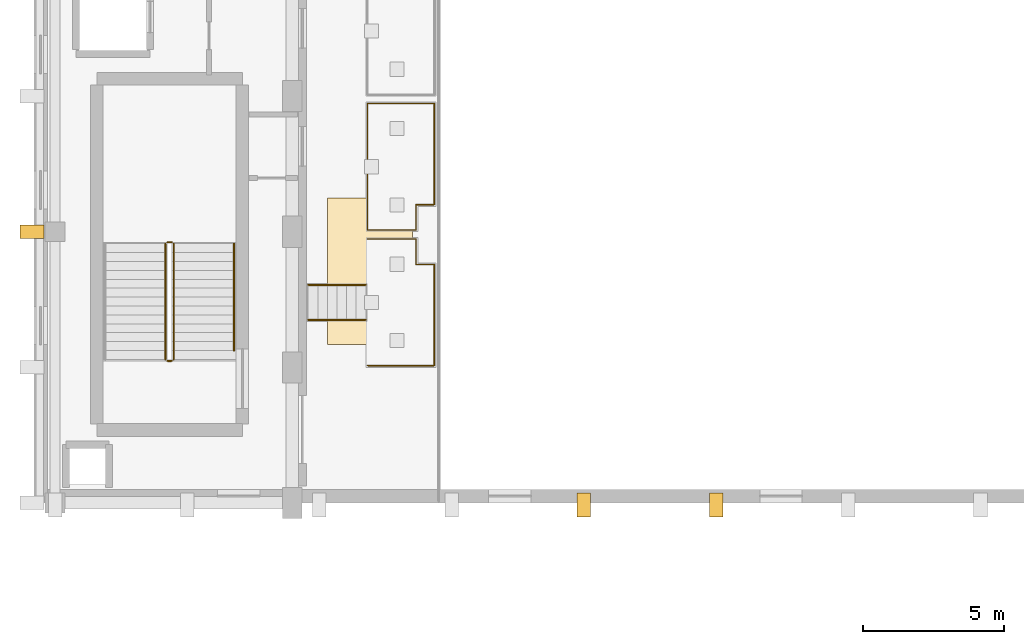
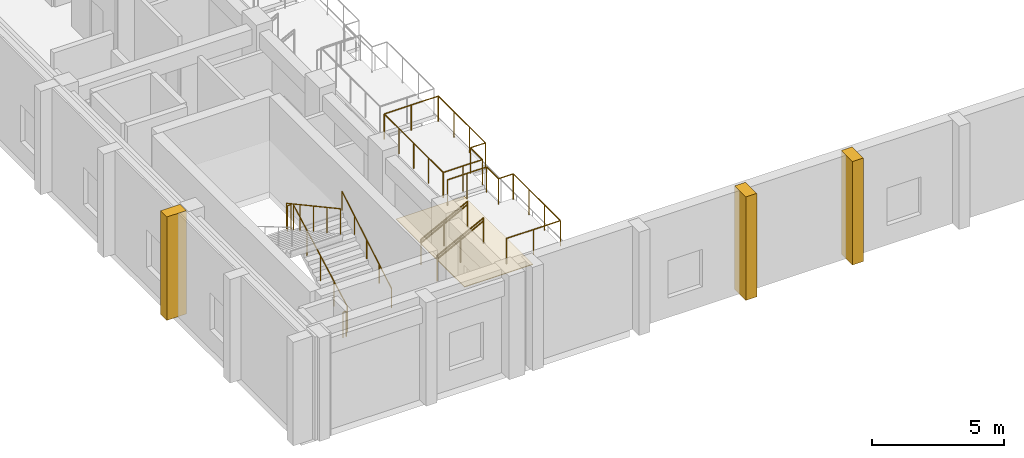
# One storey, part 116 of 133: 11 railings, 4 coverings.
"""IFC4 building model written with IfcOpenShell, lengths in metres."""

from ifc_helpers import new_model, si_unit, direction, frame, origin, origin_2d, place, context, subcontext, project, spatial, polyline, rectangle, circle, outline, extrude, material, layer, layer_set, type_object, element, save


model = new_model("IFC4")

# Units and contexts
model_context = context("Model", 3, precision=1e-05, world=origin(), true_north=direction((0.0, 1.0)))
body_context = subcontext(model_context, "Body", "Model", "MODEL_VIEW")
ifc_project = project(units=[si_unit("LENGTHUNIT", "METRE"), si_unit("AREAUNIT", "SQUARE_METRE"), si_unit("VOLUMEUNIT", "CUBIC_METRE"), si_unit("PLANEANGLEUNIT", "RADIAN"), si_unit("MASSUNIT", "GRAM", prefix="KILO")], contexts=[model_context])

# Site, building, storey
site_placement = place(None, origin())
site = spatial("IfcSite", under=ifc_project, at=site_placement, CompositionType="ELEMENT")
building_placement = place(site_placement, origin())
building = spatial("IfcBuilding", under=site, at=building_placement, Name="Nakhvara Creek Congress Hotel", CompositionType="ELEMENT")
storey_placement = place(building_placement, frame((0.0, 0.0, 11.39990234375)))
storey = spatial("IfcBuildingStorey", under=building, at=storey_placement, Name="L02", CompositionType="ELEMENT", Elevation=11.39990234375)

# Coverings
ifc_material_1 = material(Name="Honed pale Omani limestone architectural cladding", Category="masonry")
ifc_layer_1 = layer(ifc_material_1, 0.449951171875)
ifc_layer_set_1 = layer_set([ifc_layer_1], Name="Honed pale Omani limestone architectural cladding")
covering_type_1 = type_object("IfcCoveringType", Name="COV-BUTT-850", PredefinedType="CLADDING", material=ifc_layer_set_1)
for number, where, z_axis, x_axis, name in (
    (1, (-0.06494140625, 43.199951171875, 0.0), (0.0, 0.0, 1.0), (0.0, 1.0, 0.0), "Gothic Limestone Buttress Pier CF03-0486"),
    (2, (19.469970703125, 33.534912109375, 0.0), (0.0, 0.0, 1.0), (1.0, 0.0, 0.0), "Gothic Limestone Buttress Pier CF03-0500"),
    (3, (24.14990234375, 33.534912109375, 0.0), (0.0, 0.0, 1.0), (1.0, 0.0, 0.0), "Gothic Limestone Buttress Pier CF03-0501"),
):
    element("IfcCovering", number, at=place(storey_placement, frame(where, z_axis=z_axis, x_axis=x_axis)), inside=storey, type_object=covering_type_1, Name=name, PredefinedType="CLADDING", context=body_context, shape_type="SweptSolid", body=[
        extrude(rectangle(XDim=0.47998046875, YDim=0.85009765625, at=origin_2d()), origin(), (0.0, 0.0, 1.0), 4.800048828125),
    ])
ifc_material_2 = material(Name="Honed limestone and terrazzo acoustic floor finish", Category="masonry")
ifc_layer_2 = layer(ifc_material_2, 0.044921875)
ifc_layer_set_2 = layer_set([ifc_layer_2], Name="Honed limestone and terrazzo acoustic floor finish")
covering_type_2 = type_object("IfcCoveringType", Name="COV-FLR-TER", PredefinedType="FLOORING", material=ifc_layer_set_2)
covering_placement = place(storey_placement, origin())
element("IfcCovering", 4, at=covering_placement, inside=storey, type_object=covering_type_2, Name="Floor Finish L02-CH-01", PredefinedType="FLOORING", context=body_context, shape_type="SweptSolid", body=[
    extrude(outline(polyline([(10.39990234375, 39.199951171875), (13.39990234375, 39.199951171875), (13.39990234375, 44.39990234375), (10.39990234375, 44.39990234375), (10.39990234375, 39.199951171875)])), origin(), (0.0, 0.0, 1.0), 0.030029296875),
])

# Railings
ifc_material_3 = material(Name="Bronze-anodised aluminium and laminated safety glass balustrade", Category="aluminium")
railing_type_1 = type_object("IfcRailingType", Name="RL-BALUS-1200", PredefinedType="BALUSTRADE", material=ifc_material_3)
railing_1_placement = place(storey_placement, frame((11.81005859375, 38.4599609375, 1.050048828125)))
element("IfcRailing", 5, at=railing_1_placement, inside=storey, type_object=railing_type_1, Name="Stand Tier Balustrade L02-01", PredefinedType="BALUSTRADE", context=body_context, shape_type="SweptSolid", body=[
    extrude(circle(Radius=0.02392578125, at=origin_2d()), frame((0.0146484375, 0.0, 1.17578125), z_axis=(1.0, 0.0, 0.0), x_axis=(0.0, 1.0, 0.0)), (0.0, 0.0, 1.0), 2.340576171875),
    extrude(circle(Radius=0.02392578125, at=origin_2d()), frame((2.369873046875, 0.0146484375, 1.17578125), z_axis=(0.0, 1.0, 0.0), x_axis=(-1.0, 0.0, 0.0)), (0.0, 0.0, 1.0), 3.55078125),
    extrude(circle(Radius=0.02392578125, at=origin_2d()), frame((2.355224609375, 3.580078125, 1.17578125), z_axis=(-1.0, 0.0, 0.0), x_axis=(0.0, -1.0, 0.0)), (0.0, 0.0, 1.0), 0.62060546875),
    extrude(circle(Radius=0.02392578125, at=origin_2d()), frame((1.719970703125, 3.5947265625, 1.17578125), z_axis=(0.0, 1.0, 0.0), x_axis=(-1.0, 0.0, 0.0)), (0.0, 0.0, 1.0), 0.87060546875),
    extrude(circle(Radius=0.02392578125, at=origin_2d()), frame((1.705322265625, 4.47998046875, 1.17578125), z_axis=(-1.0, 0.0, 0.0), x_axis=(0.0, -1.0, 0.0)), (0.0, 0.0, 1.0), 1.690673828125),
    extrude(circle(Radius=0.02099609375, at=origin_2d()), origin(), (0.0, 0.0, 1.0), 1.1806640625),
    extrude(circle(Radius=0.02099609375, at=origin_2d()), frame((1.18505859375, 0.0, 0.0)), (0.0, 0.0, 1.0), 1.1806640625),
    extrude(circle(Radius=0.02099609375, at=origin_2d()), frame((2.369873046875, 0.0, 0.0)), (0.0, 0.0, 1.0), 1.1806640625),
    extrude(circle(Radius=0.02099609375, at=origin_2d()), frame((2.369873046875, 1.193359375, 0.0)), (0.0, 0.0, 1.0), 1.1806640625),
    extrude(circle(Radius=0.02099609375, at=origin_2d()), frame((2.369873046875, 2.38671875, 0.0)), (0.0, 0.0, 1.0), 1.1806640625),
    extrude(circle(Radius=0.02099609375, at=origin_2d()), frame((2.369873046875, 3.580078125, 0.0)), (0.0, 0.0, 1.0), 1.1806640625),
    extrude(circle(Radius=0.02099609375, at=origin_2d()), frame((1.719970703125, 3.580078125, 0.0)), (0.0, 0.0, 1.0), 1.1806640625),
    extrude(circle(Radius=0.02099609375, at=origin_2d()), frame((1.719970703125, 4.47998046875, 0.0)), (0.0, 0.0, 1.0), 1.1806640625),
    extrude(circle(Radius=0.02099609375, at=origin_2d()), frame((0.85986328125, 4.47998046875, 0.0)), (0.0, 0.0, 1.0), 1.1806640625),
    extrude(circle(Radius=0.02099609375, at=origin_2d()), frame((0.0, 4.47998046875, 0.0)), (0.0, 0.0, 1.0), 1.1806640625),
])
railing_2_placement = place(storey_placement, frame((11.81005859375, 43.260009765625, 1.2001953125)))
element("IfcRailing", 6, at=railing_2_placement, inside=storey, type_object=railing_type_1, Name="Stand Tier Balustrade L02-02", PredefinedType="BALUSTRADE", context=body_context, shape_type="SweptSolid", body=[
    extrude(circle(Radius=0.02392578125, at=origin_2d()), frame((0.0146484375, 0.0, 1.17578125), z_axis=(1.0, 0.0, 0.0), x_axis=(0.0, 1.0, 0.0)), (0.0, 0.0, 1.0), 1.690673828125),
    extrude(circle(Radius=0.02392578125, at=origin_2d()), frame((1.719970703125, 0.0146484375, 1.17578125), z_axis=(0.0, 1.0, 0.0), x_axis=(-1.0, 0.0, 0.0)), (0.0, 0.0, 1.0), 0.87060546875),
    extrude(circle(Radius=0.02392578125, at=origin_2d()), frame((1.734619140625, 0.89990234375, 1.17578125), z_axis=(1.0, 0.0, 0.0), x_axis=(0.0, 1.0, 0.0)), (0.0, 0.0, 1.0), 0.62060546875),
    extrude(circle(Radius=0.02392578125, at=origin_2d()), frame((2.369873046875, 0.91455078125, 1.17578125), z_axis=(0.0, 1.0, 0.0), x_axis=(-1.0, 0.0, 0.0)), (0.0, 0.0, 1.0), 3.55078125),
    extrude(circle(Radius=0.02392578125, at=origin_2d()), frame((2.355224609375, 4.47998046875, 1.17578125), z_axis=(-1.0, 0.0, 0.0), x_axis=(0.0, -1.0, 0.0)), (0.0, 0.0, 1.0), 2.340576171875),
    extrude(circle(Radius=0.02392578125, at=origin_2d()), frame((0.0, 4.46533203125, 1.17578125), z_axis=(0.0, -1.0, 0.0), x_axis=(1.0, 0.0, 0.0)), (0.0, 0.0, 1.0), 4.45068359375),
    extrude(circle(Radius=0.02099609375, at=origin_2d()), origin(), (0.0, 0.0, 1.0), 1.1806640625),
    extrude(circle(Radius=0.02099609375, at=origin_2d()), frame((0.85986328125, 0.0, 0.0)), (0.0, 0.0, 1.0), 1.1806640625),
    extrude(circle(Radius=0.02099609375, at=origin_2d()), frame((1.719970703125, 0.0, 0.0)), (0.0, 0.0, 1.0), 1.1806640625),
    extrude(circle(Radius=0.02099609375, at=origin_2d()), frame((1.719970703125, 0.89990234375, 0.0)), (0.0, 0.0, 1.0), 1.1806640625),
    extrude(circle(Radius=0.02099609375, at=origin_2d()), frame((2.369873046875, 0.89990234375, 0.0)), (0.0, 0.0, 1.0), 1.1806640625),
    extrude(circle(Radius=0.02099609375, at=origin_2d()), frame((2.369873046875, 2.09326171875, 0.0)), (0.0, 0.0, 1.0), 1.1806640625),
    extrude(circle(Radius=0.02099609375, at=origin_2d()), frame((2.369873046875, 3.28662109375, 0.0)), (0.0, 0.0, 1.0), 1.1806640625),
    extrude(circle(Radius=0.02099609375, at=origin_2d()), frame((2.369873046875, 4.47998046875, 0.0)), (0.0, 0.0, 1.0), 1.1806640625),
    extrude(circle(Radius=0.02099609375, at=origin_2d()), frame((1.18505859375, 4.47998046875, 0.0)), (0.0, 0.0, 1.0), 1.1806640625),
    extrude(circle(Radius=0.02099609375, at=origin_2d()), frame((0.0, 4.47998046875, 0.0)), (0.0, 0.0, 1.0), 1.1806640625),
    extrude(circle(Radius=0.02099609375, at=origin_2d()), frame((0.0, 3.35986328125, 0.0)), (0.0, 0.0, 1.0), 1.1806640625),
    extrude(circle(Radius=0.02099609375, at=origin_2d()), frame((0.0, 2.239990234375, 0.0)), (0.0, 0.0, 1.0), 1.1806640625),
    extrude(circle(Radius=0.02099609375, at=origin_2d()), frame((0.0, 1.1201171875, 0.0)), (0.0, 0.0, 1.0), 1.1806640625),
])
ifc_material_4 = material(Name="Brushed stainless steel 316L", Category="steel")
railing_type_2 = type_object("IfcRailingType", Name="RL-GUARD-1200", PredefinedType="GUARDRAIL", material=ifc_material_4)
railing_3_placement = place(storey_placement, frame((4.955078125, 38.679931640625, 0.171630859375)))
element("IfcRailing", 7, at=railing_3_placement, inside=storey, type_object=railing_type_2, Name="L02 ST05 stair guard 1", PredefinedType="GUARDRAIL", context=body_context, shape_type="SweptSolid", body=[
    extrude(circle(Radius=0.02392578125, at=origin_2d()), frame((0.0, 0.012939453125, 1.182861328125), z_axis=(0.0, 0.878355465225, 0.478008029963), x_axis=(-1.0, 0.0, 0.0)), (0.0, 0.0, 1.0), 4.6328125),
    extrude(circle(Radius=0.02099609375, at=origin_2d()), origin(), (0.0, 0.0, 1.0), 1.1806640625),
    extrude(circle(Radius=0.02099609375, at=origin_2d()), frame((0.0, 1.023681640625, 0.55712890625)), (0.0, 0.0, 1.0), 1.1806640625),
    extrude(circle(Radius=0.02099609375, at=origin_2d()), frame((0.0, 2.04736328125, 1.1142578125)), (0.0, 0.0, 1.0), 1.1806640625),
    extrude(circle(Radius=0.02099609375, at=origin_2d()), frame((0.0, 3.0712890625, 1.67138671875)), (0.0, 0.0, 1.0), 1.1806640625),
    extrude(circle(Radius=0.02099609375, at=origin_2d()), frame((0.0, 4.094970703125, 2.228515625)), (0.0, 0.0, 1.0), 1.1806640625),
])
railing_4_placement = place(storey_placement, frame((4.8798828125, 42.824951171875, 2.400146484375)))
element("IfcRailing", 8, at=railing_4_placement, inside=storey, type_object=railing_type_2, Name="L02 ST05 stair guard 2", PredefinedType="GUARDRAIL", context=body_context, shape_type="SweptSolid", body=[
    extrude(circle(Radius=0.02392578125, at=origin_2d()), frame((-0.0146484375, 0.0, 1.17578125), z_axis=(-1.0, 0.0, 0.0), x_axis=(0.0, -1.0, 0.0)), (0.0, 0.0, 1.0), 0.12060546875),
    extrude(circle(Radius=0.02099609375, at=origin_2d()), origin(), (0.0, 0.0, 1.0), 1.1806640625),
    extrude(circle(Radius=0.02099609375, at=origin_2d()), frame((-0.14990234375, 0.0, 0.0)), (0.0, 0.0, 1.0), 1.1806640625),
])
railing_5_placement = place(storey_placement, frame((4.655029296875, 42.77490234375, 2.571533203125)))
element("IfcRailing", 9, at=railing_5_placement, inside=storey, type_object=railing_type_2, Name="L02 ST05 stair guard 3", PredefinedType="GUARDRAIL", context=body_context, shape_type="SweptSolid", body=[
    extrude(circle(Radius=0.02392578125, at=origin_2d()), frame((0.0, -0.012939453125, 1.182861328125), z_axis=(0.0, -0.878355465225, 0.478008029963), x_axis=(1.0, 0.0, 0.0)), (0.0, 0.0, 1.0), 4.6328125),
    extrude(circle(Radius=0.02099609375, at=origin_2d()), origin(), (0.0, 0.0, 1.0), 1.1806640625),
    extrude(circle(Radius=0.02099609375, at=origin_2d()), frame((0.0, -1.023681640625, 0.55712890625)), (0.0, 0.0, 1.0), 1.1806640625),
    extrude(circle(Radius=0.02099609375, at=origin_2d()), frame((0.0, -2.04736328125, 1.1142578125)), (0.0, 0.0, 1.0), 1.1806640625),
    extrude(circle(Radius=0.02099609375, at=origin_2d()), frame((0.0, -3.0712890625, 1.67138671875)), (0.0, 0.0, 1.0), 1.1806640625),
    extrude(circle(Radius=0.02099609375, at=origin_2d()), frame((0.0, -4.094970703125, 2.228515625)), (0.0, 0.0, 1.0), 1.1806640625),
])
railing_6_placement = place(storey_placement, frame((4.8798828125, 38.6298828125, 0.0)))
element("IfcRailing", 10, at=railing_6_placement, inside=storey, type_object=railing_type_2, Name="L02 ST05 stair guard 4", PredefinedType="GUARDRAIL", context=body_context, shape_type="SweptSolid", body=[
    extrude(circle(Radius=0.02392578125, at=origin_2d()), frame((-0.0146484375, 0.0, 1.17578125), z_axis=(-1.0, 0.0, 0.0), x_axis=(0.0, -1.0, 0.0)), (0.0, 0.0, 1.0), 0.12060546875),
    extrude(circle(Radius=0.02099609375, at=origin_2d()), origin(), (0.0, 0.0, 1.0), 1.1806640625),
    extrude(circle(Radius=0.02099609375, at=origin_2d()), frame((-0.14990234375, 0.0, 0.0)), (0.0, 0.0, 1.0), 1.1806640625),
])
for number, where, name in (
    (11, (9.7099609375, 40.080078125, 0.0), "Vomitory Guard SV05-S"),
    (12, (9.7099609375, 41.320068359375, 0.0), "Vomitory Guard SV05-N"),
):
    element("IfcRailing", number, at=place(storey_placement, frame(where)), inside=storey, type_object=railing_type_2, Name=name, PredefinedType="GUARDRAIL", context=body_context, shape_type="SweptSolid", body=[
        extrude(circle(Radius=0.02392578125, at=origin_2d()), frame((0.01318359375, 0.0, 1.1826171875), z_axis=(0.889130716513, 0.0, 0.457653328354), x_axis=(0.0, 1.0, 0.0)), (0.0, 0.0, 1.0), 2.26513671875),
        extrude(circle(Radius=0.02099609375, at=origin_2d()), origin(), (0.0, 0.0, 1.0), 1.1806640625),
        extrude(circle(Radius=0.02099609375, at=origin_2d()), frame((1.02001953125, 0.0, 0.52490234375)), (0.0, 0.0, 1.0), 1.1806640625),
        extrude(circle(Radius=0.02099609375, at=origin_2d()), frame((2.0400390625, 0.0, 1.050048828125)), (0.0, 0.0, 1.0), 1.1806640625),
    ])
railing_type_3 = type_object("IfcRailingType", Name="RL-HAND-900", PredefinedType="HANDRAIL", material=ifc_material_4)
railing_7_placement = place(storey_placement, frame((7.0849609375, 38.9951171875, 0.343017578125)))
element("IfcRailing", 13, at=railing_7_placement, inside=storey, type_object=railing_type_3, Name="L02 ST05 stair handrail 1", PredefinedType="HANDRAIL", context=body_context, shape_type="SweptSolid", body=[
    extrude(circle(Radius=0.02392578125, at=origin_2d()), frame((0.0, 0.0126953125, 0.88330078125), z_axis=(0.0, 0.860328540156, 0.509739936627), x_axis=(-1.0, 0.0, 0.0)), (0.0, 0.0, 1.0), 4.364013671875),
    extrude(circle(Radius=0.02099609375, at=origin_2d()), origin(), (0.0, 0.0, 1.0), 0.880615234375),
    extrude(circle(Radius=0.02099609375, at=origin_2d()), frame((0.0, 0.94482421875, 0.559814453125)), (0.0, 0.0, 1.0), 0.880615234375),
    extrude(circle(Radius=0.02099609375, at=origin_2d()), frame((0.0, 1.889892578125, 1.11962890625)), (0.0, 0.0, 1.0), 0.880615234375),
    extrude(circle(Radius=0.02099609375, at=origin_2d()), frame((0.0, 2.8349609375, 1.6796875)), (0.0, 0.0, 1.0), 0.880615234375),
    extrude(circle(Radius=0.02099609375, at=origin_2d()), frame((0.0, 3.77978515625, 2.239501953125)), (0.0, 0.0, 1.0), 0.880615234375),
])
for number, where, name in (
    (14, (9.7099609375, 40.080078125, 0.150146484375), "Vomitory Handrail SV05-S"),
    (15, (9.7099609375, 41.320068359375, 0.150146484375), "Vomitory Handrail SV05-N"),
):
    element("IfcRailing", number, at=place(storey_placement, frame(where)), inside=storey, type_object=railing_type_3, Name=name, PredefinedType="HANDRAIL", context=body_context, shape_type="SweptSolid", body=[
        extrude(circle(Radius=0.02392578125, at=origin_2d()), frame((0.012939453125, 0.0, 0.882568359375), z_axis=(0.887178554642, 0.0, 0.461426280334), x_axis=(0.0, 1.0, 0.0)), (0.0, 0.0, 1.0), 2.27001953125),
        extrude(circle(Radius=0.02099609375, at=origin_2d()), origin(), (0.0, 0.0, 1.0), 0.880615234375),
        extrude(circle(Radius=0.02099609375, at=origin_2d()), frame((1.02001953125, 0.0, 0.530517578125)), (0.0, 0.0, 1.0), 0.880615234375),
        extrude(circle(Radius=0.02099609375, at=origin_2d()), frame((2.0400390625, 0.0, 1.06103515625)), (0.0, 0.0, 1.0), 0.880615234375),
    ])

save(model, "model.ifc")
